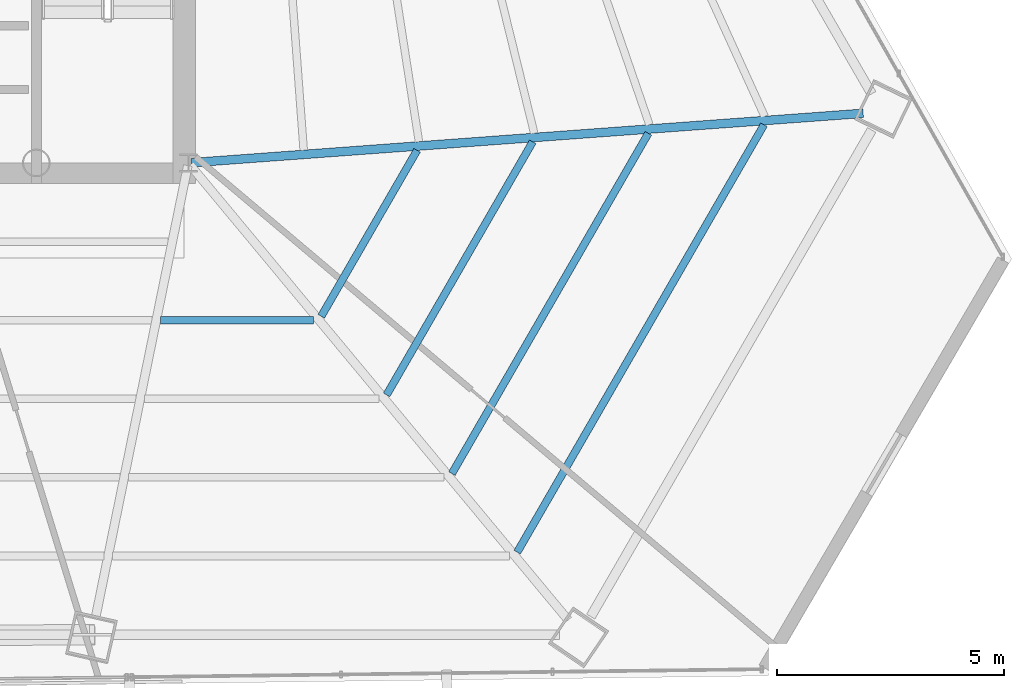
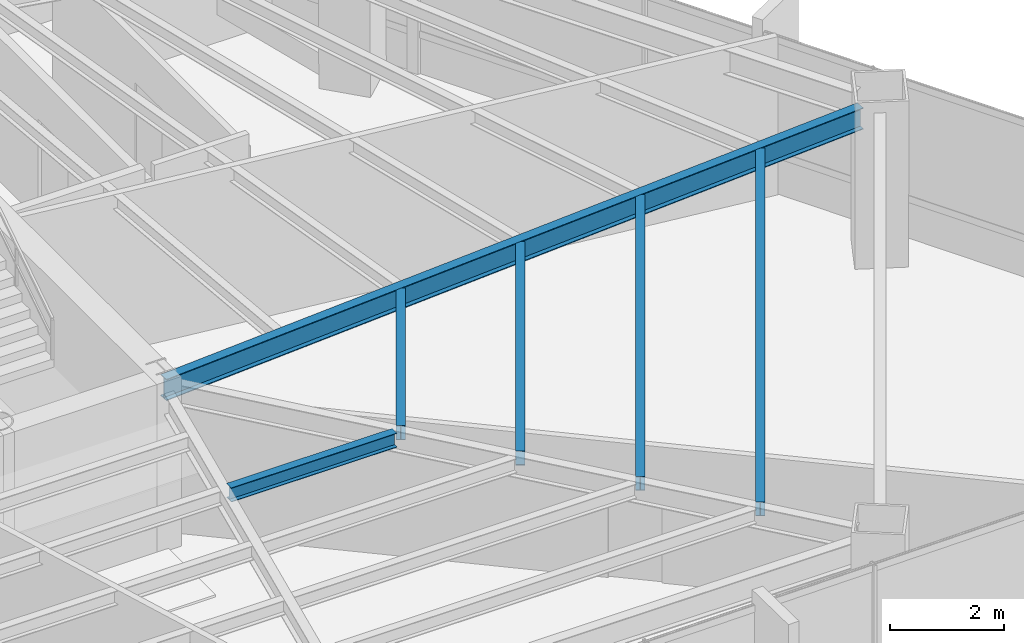
# One storey, part 20 of 41: 6 beams.
"""IFC4 building model written with IfcOpenShell, lengths in metres."""

from ifc_helpers import new_model, si_unit, direction, frame, origin, origin_2d, place, context, subcontext, project, spatial, i_section, extrude, source, transform, mapped, material, material_profile, profile_set, type_object, type_shapes, element, save


model = new_model("IFC4")

# Units and contexts
model_context = context("Model", 3, precision=1e-05, world=origin(), true_north=direction((0.0, 1.0)))
body_context = subcontext(model_context, "Body", "Model", "MODEL_VIEW")
ifc_project = project(units=[si_unit("LENGTHUNIT", "METRE"), si_unit("AREAUNIT", "SQUARE_METRE"), si_unit("VOLUMEUNIT", "CUBIC_METRE"), si_unit("PLANEANGLEUNIT", "RADIAN"), si_unit("MASSUNIT", "GRAM", prefix="KILO")], contexts=[model_context])

# Site, building, storey
site_placement = place(None, origin())
site = spatial("IfcSite", under=ifc_project, at=site_placement, CompositionType="ELEMENT")
building_placement = place(site_placement, origin())
building = spatial("IfcBuilding", under=site, at=building_placement, Name="Caelisora Broadcast Tower", CompositionType="ELEMENT")
storey_placement = place(building_placement, frame((0.0, 0.0, 135.449951171875)))
storey = spatial("IfcBuildingStorey", under=building, at=storey_placement, Name="L35", CompositionType="ELEMENT", Elevation=135.449951171875)

# Beams
ifc_material = material(Name="Steel Grade 350 (AS/NZS 3679.1)", Category="steel")
ifc_material_profile_1 = material_profile(ifc_material, i_section(OverallWidth=0.19091796875, OverallDepth=0.46044921875, WebThickness=0.010009765625, FlangeThickness=0.01611328125, at=origin_2d()), Name="Steel Grade 350 (AS/NZS 3679.1)")
ifc_profile_set_1 = profile_set([ifc_material_profile_1], Name="Steel Grade 350 (AS/NZS 3679.1)")
beam_type_1 = type_object("IfcBeamType", Name="PG06", PredefinedType="BEAM", material=ifc_profile_set_1)
shared_shape_1 = source(origin(), body_context, "Body", "SweptSolid", [
    extrude(i_section(OverallWidth=0.19091796875, OverallDepth=0.46044921875, WebThickness=0.010009765625, FlangeThickness=0.01611328125, at=origin_2d()), origin(), (0.0, 0.0, 1.0), 14.843505859375),
])
type_shapes(beam_type_1, [shared_shape_1])
beam_1_placement = place(storey_placement, frame((45.559814453125, 17.404296875, 3.169921875), z_axis=(0.997309376272, 0.073307625794, 0.0), x_axis=(-0.073307625794, 0.997309376272, 0.0)))
element("IfcBeam", 1, at=beam_1_placement, inside=storey, type_object=beam_type_1, Name="L35 beam PG06", PredefinedType="BEAM", context=body_context, shape_type="MappedRepresentation", body=[
    mapped(shared_shape_1, transform((0.0, 0.0, 0.0), scale=1.0)),
])
ifc_material_profile_2 = material_profile(ifc_material, i_section(OverallWidth=0.166015625, OverallDepth=0.30712890625, WebThickness=0.006591796875, FlangeThickness=0.01171875, at=origin_2d()), Name="Steel Grade 350 (AS/NZS 3679.1)")
ifc_profile_set_2 = profile_set([ifc_material_profile_2], Name="Steel Grade 350 (AS/NZS 3679.1)")
beam_type_2 = type_object("IfcBeamType", Name="SB03", PredefinedType="JOIST", material=ifc_profile_set_2)
shared_shape_2 = source(origin(), body_context, "Body", "SweptSolid", [
    extrude(i_section(OverallWidth=0.166015625, OverallDepth=0.30712890625, WebThickness=0.006591796875, FlangeThickness=0.01171875, at=origin_2d()), origin(), (0.0, 0.0, 1.0), 4.220703125),
])
beam_2_placement = place(storey_placement, frame((48.427490234375, 14.021728515625, 3.246337890625), z_axis=(0.499996172356, 0.866027613664, 0.0), x_axis=(-0.866027613664, 0.499996172356, 0.0)))
element("IfcBeam", 2, at=beam_2_placement, inside=storey, type_object=beam_type_2, Name="L35 beam SB03", PredefinedType="JOIST", context=body_context, shape_type="MappedRepresentation", body=[
    mapped(shared_shape_2, transform((0.0, 0.0, 0.0), scale=1.0)),
])
shared_shape_3 = source(origin(), body_context, "Body", "SweptSolid", [
    extrude(i_section(OverallWidth=0.166015625, OverallDepth=0.30712890625, WebThickness=0.006591796875, FlangeThickness=0.01171875, at=origin_2d()), origin(), (0.0, 0.0, 1.0), 6.436767578125),
])
beam_3_placement = place(storey_placement, frame((49.866455078125, 12.289794921875, 3.246337890625), z_axis=(0.499981830989, 0.866035893414, 0.0), x_axis=(-0.866035893414, 0.499981830989, 0.0)))
element("IfcBeam", 3, at=beam_3_placement, inside=storey, type_object=beam_type_2, Name="L35 beam SB03", PredefinedType="JOIST", context=body_context, shape_type="MappedRepresentation", body=[
    mapped(shared_shape_3, transform((0.0, 0.0, 0.0), scale=1.0)),
])
shared_shape_4 = source(origin(), body_context, "Body", "SweptSolid", [
    extrude(i_section(OverallWidth=0.166015625, OverallDepth=0.30712890625, WebThickness=0.006591796875, FlangeThickness=0.01171875, at=origin_2d()), origin(), (0.0, 0.0, 1.0), 8.65283203125),
])
beam_4_placement = place(storey_placement, frame((51.305419921875, 10.557861328125, 3.246337890625), z_axis=(0.499995997096, 0.86602771485, 0.0), x_axis=(-0.86602771485, 0.499995997096, 0.0)))
element("IfcBeam", 4, at=beam_4_placement, inside=storey, type_object=beam_type_2, Name="L35 beam SB03", PredefinedType="JOIST", context=body_context, shape_type="MappedRepresentation", body=[
    mapped(shared_shape_4, transform((0.0, 0.0, 0.0), scale=1.0)),
])
shared_shape_5 = source(origin(), body_context, "Body", "SweptSolid", [
    extrude(i_section(OverallWidth=0.166015625, OverallDepth=0.30712890625, WebThickness=0.006591796875, FlangeThickness=0.01171875, at=origin_2d()), origin(), (0.0, 0.0, 1.0), 10.86865234375),
])
beam_5_placement = place(storey_placement, frame((52.744384765625, 8.825927734375, 3.246337890625), z_axis=(0.49999726609, 0.866026982202, 0.0), x_axis=(-0.866026982202, 0.49999726609, 0.0)))
element("IfcBeam", 5, at=beam_5_placement, inside=storey, type_object=beam_type_2, Name="L35 beam SB03", PredefinedType="JOIST", context=body_context, shape_type="MappedRepresentation", body=[
    mapped(shared_shape_5, transform((0.0, 0.0, 0.0), scale=1.0)),
])
shared_shape_6 = source(origin(), body_context, "Body", "SweptSolid", [
    extrude(i_section(OverallWidth=0.166015625, OverallDepth=0.30712890625, WebThickness=0.006591796875, FlangeThickness=0.01171875, at=origin_2d()), origin(), (0.0, 0.0, 1.0), 3.36962890625),
])
type_shapes(beam_type_2, [shared_shape_2, shared_shape_3, shared_shape_4, shared_shape_5, shared_shape_6])
beam_6_placement = place(storey_placement, frame((44.88720703125, 13.936279296875, 3.246337890625), z_axis=(1.0, 0.0, 0.0), x_axis=(0.0, 1.0, 0.0)))
element("IfcBeam", 6, at=beam_6_placement, inside=storey, type_object=beam_type_2, Name="L35 beam SB03", PredefinedType="JOIST", context=body_context, shape_type="MappedRepresentation", body=[
    mapped(shared_shape_6, transform((0.0, 0.0, 0.0), scale=1.0)),
])

save(model, "model.ifc")
